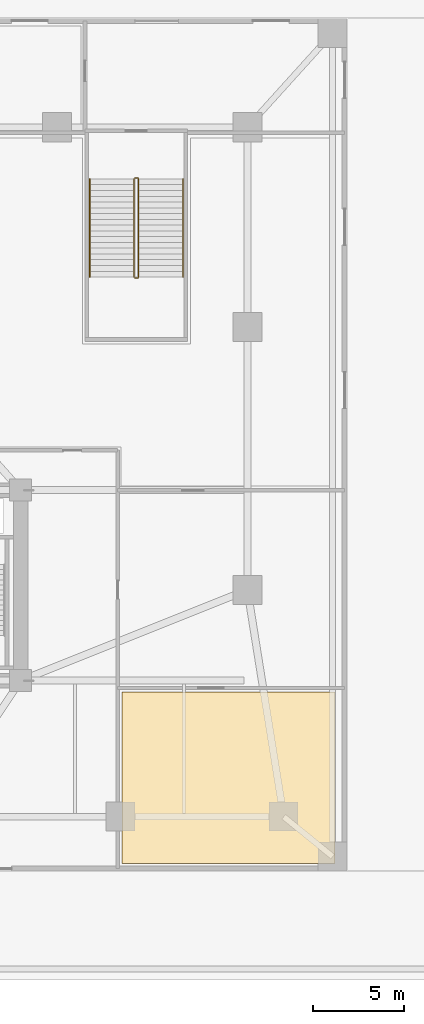
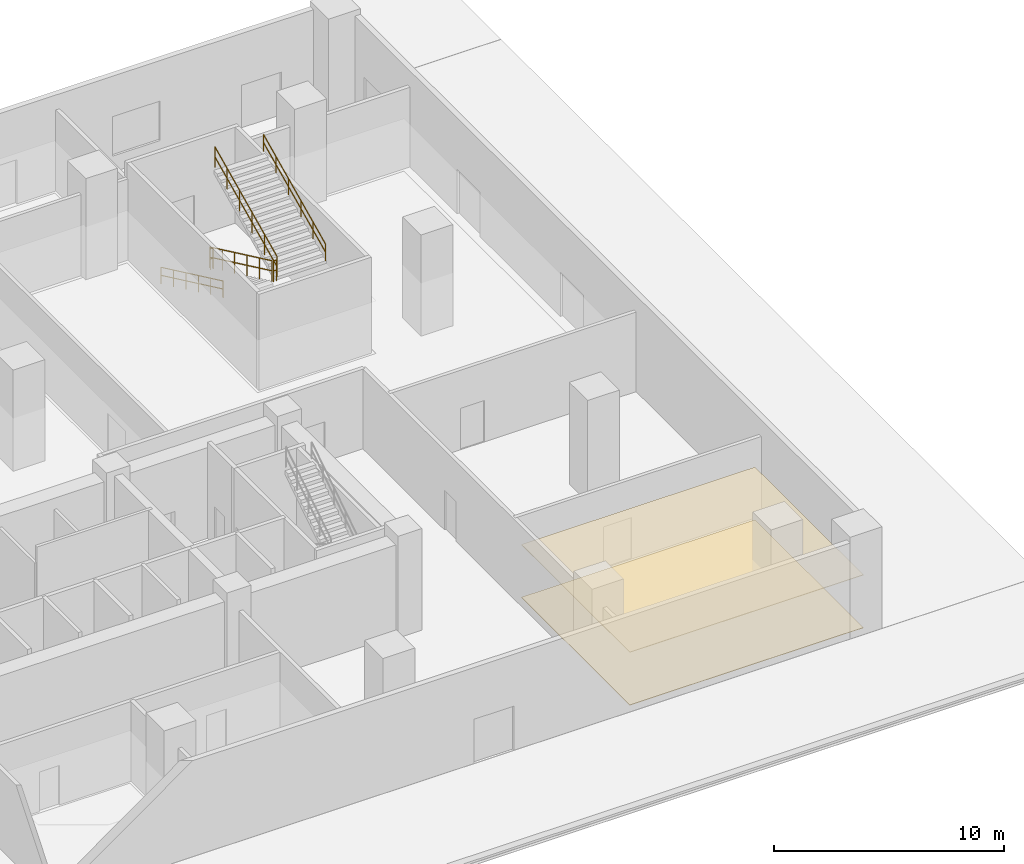
# One storey, part 13 of 15: 6 railings, 2 coverings.
"""IFC4 building model written with IfcOpenShell, lengths in metres."""

from ifc_helpers import new_model, si_unit, direction, frame, origin, origin_2d, place, context, subcontext, project, spatial, polyline, circle, outline, extrude, material, layer, layer_set, type_object, element, save


model = new_model("IFC4")

# Units and contexts
model_context = context("Model", 3, precision=1e-05, world=origin(), true_north=direction((0.0, 1.0)))
body_context = subcontext(model_context, "Body", "Model", "MODEL_VIEW")
ifc_project = project(units=[si_unit("LENGTHUNIT", "METRE"), si_unit("AREAUNIT", "SQUARE_METRE"), si_unit("VOLUMEUNIT", "CUBIC_METRE"), si_unit("PLANEANGLEUNIT", "RADIAN"), si_unit("MASSUNIT", "GRAM", prefix="KILO")], contexts=[model_context])

# Site, building, storey
site_placement = place(None, origin())
site = spatial("IfcSite", under=ifc_project, at=site_placement, CompositionType="ELEMENT")
building_placement = place(site_placement, origin())
building = spatial("IfcBuilding", under=site, at=building_placement, Name="Solmavex Isthmus Hotel", CompositionType="ELEMENT")
storey_placement = place(building_placement, origin())
storey = spatial("IfcBuildingStorey", under=building, at=storey_placement, Name="L01", CompositionType="ELEMENT", Elevation=0.0)

# Coverings
ifc_material_1 = material(Name="Gypsum plasterboard lining", Category="gypsum")
ifc_layer_1 = layer(ifc_material_1, 0.030029296875)
ifc_layer_set_1 = layer_set([ifc_layer_1], Name="Gypsum plasterboard lining")
covering_type_1 = type_object("IfcCoveringType", Name="COV-CEIL-GYP", PredefinedType="CEILING", material=ifc_layer_set_1)
covering_1_placement = place(storey_placement, frame((0.0, 0.0, 2.800048828125)))
element("IfcCovering", 1, at=covering_1_placement, inside=storey, type_object=covering_type_1, Name="Suspended Acoustic Ceiling L01-KIT", PredefinedType="CEILING", context=body_context, shape_type="SweptSolid", body=[
    extrude(outline(polyline([(33.320068359375, -23.070068359375), (33.320068359375, -13.6298828125), (21.580078125, -13.6298828125), (21.580078125, -23.070068359375), (33.320068359375, -23.070068359375)])), origin(), (0.0, 0.0, 1.0), 0.030029296875),
])
ifc_material_2 = material(Name="Travertine natural stone", Category="masonry")
ifc_layer_2 = layer(ifc_material_2, 0.02490234375)
ifc_layer_set_2 = layer_set([ifc_layer_2], Name="Travertine natural stone")
covering_type_2 = type_object("IfcCoveringType", Name="COV-FLOR-STN", PredefinedType="FLOORING", material=ifc_layer_set_2)
covering_2_placement = place(storey_placement, origin())
element("IfcCovering", 2, at=covering_2_placement, inside=storey, type_object=covering_type_2, Name="Stone and Timber Floor Finish L01-KIT", PredefinedType="FLOORING", context=body_context, shape_type="SweptSolid", body=[
    extrude(outline(polyline([(33.320068359375, -23.070068359375), (33.320068359375, -13.6298828125), (21.580078125, -13.6298828125), (21.580078125, -23.070068359375), (33.320068359375, -23.070068359375)])), origin(), (0.0, 0.0, 1.0), 0.02490234375),
])

# Railings
ifc_material_3 = material(Name="Stainless steel 316", Category="steel")
ifc_layer_3 = layer(ifc_material_3, 0.06005859375)
ifc_layer_set_3 = layer_set([ifc_layer_3], Name="Stainless steel 316")
railing_type_1 = type_object("IfcRailingType", Name="RAIL-STAIR-GD", PredefinedType="GUARDRAIL", material=ifc_layer_set_3)
railing_1_placement = place(storey_placement, frame((22.25, 14.64990234375, 0.14990234375)))
element("IfcRailing", 3, at=railing_1_placement, inside=storey, type_object=railing_type_1, Name="L01 ST-3 stair guard 1", PredefinedType="GUARDRAIL", context=body_context, shape_type="SweptSolid", body=[
    extrude(circle(Radius=0.02392578125, at=origin_2d()), frame((0.0, 0.0, 1.09619140625), z_axis=(0.0, -0.904428618924, 0.426624979662), x_axis=(1.0, 0.0, 0.0)), (0.0, 0.0, 1.0), 5.977294921875),
    extrude(circle(Radius=0.02392578125, at=origin_2d()), frame((0.0, 0.0, 0.56005859375), z_axis=(0.0, -0.904428618924, 0.426624979662), x_axis=(1.0, 0.0, 0.0)), (0.0, 0.0, 1.0), 5.977294921875),
    extrude(circle(Radius=0.02099609375, at=origin_2d()), origin(), (0.0, 0.0, 1.0), 1.072021484375),
    extrude(circle(Radius=0.02099609375, at=origin_2d()), frame((0.0, -1.081298828125, 0.510009765625)), (0.0, 0.0, 1.0), 1.072021484375),
    extrude(circle(Radius=0.02099609375, at=origin_2d()), frame((0.0, -2.162353515625, 1.02001953125)), (0.0, 0.0, 1.0), 1.072021484375),
    extrude(circle(Radius=0.02099609375, at=origin_2d()), frame((0.0, -3.24365234375, 1.530029296875)), (0.0, 0.0, 1.0), 1.072021484375),
    extrude(circle(Radius=0.02099609375, at=origin_2d()), frame((0.0, -4.32470703125, 2.0400390625)), (0.0, 0.0, 1.0), 1.072021484375),
    extrude(circle(Radius=0.02099609375, at=origin_2d()), frame((0.0, -5.406005859375, 2.550048828125)), (0.0, 0.0, 1.0), 1.072021484375),
])
railing_2_placement = place(storey_placement, frame((22.300048828125, 9.194091796875, 2.699951171875)))
element("IfcRailing", 4, at=railing_2_placement, inside=storey, type_object=railing_type_1, Name="L01 ST-3 stair guard 2", PredefinedType="GUARDRAIL", context=body_context, shape_type="SweptSolid", body=[
    extrude(circle(Radius=0.02392578125, at=origin_2d()), frame((0.0, 0.0, 1.09619140625), z_axis=(1.0, 0.0, 0.0), x_axis=(0.0, 1.0, 0.0)), (0.0, 0.0, 1.0), 0.14990234375),
    extrude(circle(Radius=0.02392578125, at=origin_2d()), frame((0.0, 0.0, 0.56005859375), z_axis=(1.0, 0.0, 0.0), x_axis=(0.0, 1.0, 0.0)), (0.0, 0.0, 1.0), 0.14990234375),
    extrude(circle(Radius=0.02099609375, at=origin_2d()), origin(), (0.0, 0.0, 1.0), 1.072021484375),
    extrude(circle(Radius=0.02099609375, at=origin_2d()), frame((0.14990234375, 0.0, 0.0)), (0.0, 0.0, 1.0), 1.072021484375),
])
railing_3_placement = place(storey_placement, frame((22.5, 9.243896484375, 2.85009765625)))
element("IfcRailing", 5, at=railing_3_placement, inside=storey, type_object=railing_type_1, Name="L01 ST-3 stair guard 3", PredefinedType="GUARDRAIL", context=body_context, shape_type="SweptSolid", body=[
    extrude(circle(Radius=0.02392578125, at=origin_2d()), frame((0.0, 0.0, 1.09619140625), z_axis=(0.0, 0.904444378661, 0.426591568023), x_axis=(-1.0, 0.0, 0.0)), (0.0, 0.0, 1.0), 5.97705078125),
    extrude(circle(Radius=0.02392578125, at=origin_2d()), frame((0.0, 0.0, 0.56005859375), z_axis=(0.0, 0.904444378661, 0.426591568023), x_axis=(-1.0, 0.0, 0.0)), (0.0, 0.0, 1.0), 5.97705078125),
    extrude(circle(Radius=0.02099609375, at=origin_2d()), origin(), (0.0, 0.0, 1.0), 1.072021484375),
    extrude(circle(Radius=0.02099609375, at=origin_2d()), frame((0.0, 1.081298828125, 0.510009765625)), (0.0, 0.0, 1.0), 1.072021484375),
    extrude(circle(Radius=0.02099609375, at=origin_2d()), frame((0.0, 2.162353515625, 1.02001953125)), (0.0, 0.0, 1.0), 1.072021484375),
    extrude(circle(Radius=0.02099609375, at=origin_2d()), frame((0.0, 3.24365234375, 1.52978515625)), (0.0, 0.0, 1.0), 1.072021484375),
    extrude(circle(Radius=0.02099609375, at=origin_2d()), frame((0.0, 4.32470703125, 2.039794921875)), (0.0, 0.0, 1.0), 1.072021484375),
    extrude(circle(Radius=0.02099609375, at=origin_2d()), frame((0.0, 5.406005859375, 2.5498046875)), (0.0, 0.0, 1.0), 1.072021484375),
])
railing_4_placement = place(storey_placement, frame((22.300048828125, 14.699951171875, 0.0)))
element("IfcRailing", 6, at=railing_4_placement, inside=storey, type_object=railing_type_1, Name="L01 ST-3 stair guard 4", PredefinedType="GUARDRAIL", context=body_context, shape_type="SweptSolid", body=[
    extrude(circle(Radius=0.02392578125, at=origin_2d()), frame((0.0, 0.0, 1.09619140625), z_axis=(1.0, 0.0, 0.0), x_axis=(0.0, 1.0, 0.0)), (0.0, 0.0, 1.0), 0.14990234375),
    extrude(circle(Radius=0.02392578125, at=origin_2d()), frame((0.0, 0.0, 0.56005859375), z_axis=(1.0, 0.0, 0.0), x_axis=(0.0, 1.0, 0.0)), (0.0, 0.0, 1.0), 0.14990234375),
    extrude(circle(Radius=0.02099609375, at=origin_2d()), origin(), (0.0, 0.0, 1.0), 1.072021484375),
    extrude(circle(Radius=0.02099609375, at=origin_2d()), frame((0.14990234375, 0.0, 0.0)), (0.0, 0.0, 1.0), 1.072021484375),
])
ifc_layer_4 = layer(ifc_material_3, 0.050048828125)
ifc_layer_set_4 = layer_set([ifc_layer_4], Name="Stainless steel 316")
railing_type_2 = type_object("IfcRailingType", Name="RAIL-STAIR-HR", PredefinedType="HANDRAIL", material=ifc_layer_set_4)
railing_5_placement = place(storey_placement, frame((19.800048828125, 14.64990234375, 0.14990234375)))
element("IfcRailing", 7, at=railing_5_placement, inside=storey, type_object=railing_type_2, Name="L01 ST-3 stair handrail 1", PredefinedType="HANDRAIL", context=body_context, shape_type="SweptSolid", body=[
    extrude(circle(Radius=0.02392578125, at=origin_2d()), frame((0.0, 0.0, 0.8759765625), z_axis=(0.0, -0.904428618924, 0.426624979662), x_axis=(1.0, 0.0, 0.0)), (0.0, 0.0, 1.0), 5.977294921875),
    extrude(circle(Radius=0.02392578125, at=origin_2d()), frame((0.0, 0.0, 0.449951171875), z_axis=(0.0, -0.904428618924, 0.426624979662), x_axis=(1.0, 0.0, 0.0)), (0.0, 0.0, 1.0), 5.977294921875),
    extrude(circle(Radius=0.02099609375, at=origin_2d()), origin(), (0.0, 0.0, 1.0), 0.851806640625),
    extrude(circle(Radius=0.02099609375, at=origin_2d()), frame((0.0, -1.081298828125, 0.510009765625)), (0.0, 0.0, 1.0), 0.851806640625),
    extrude(circle(Radius=0.02099609375, at=origin_2d()), frame((0.0, -2.162353515625, 1.02001953125)), (0.0, 0.0, 1.0), 0.851806640625),
    extrude(circle(Radius=0.02099609375, at=origin_2d()), frame((0.0, -3.24365234375, 1.530029296875)), (0.0, 0.0, 1.0), 0.851806640625),
    extrude(circle(Radius=0.02099609375, at=origin_2d()), frame((0.0, -4.32470703125, 2.0400390625)), (0.0, 0.0, 1.0), 0.851806640625),
    extrude(circle(Radius=0.02099609375, at=origin_2d()), frame((0.0, -5.406005859375, 2.550048828125)), (0.0, 0.0, 1.0), 0.851806640625),
])
railing_6_placement = place(storey_placement, frame((24.949951171875, 9.243896484375, 2.85009765625)))
element("IfcRailing", 8, at=railing_6_placement, inside=storey, type_object=railing_type_2, Name="L01 ST-3 stair handrail 2", PredefinedType="HANDRAIL", context=body_context, shape_type="SweptSolid", body=[
    extrude(circle(Radius=0.02392578125, at=origin_2d()), frame((0.0, 0.0, 0.8759765625), z_axis=(0.0, 0.904444378661, 0.426591568023), x_axis=(-1.0, 0.0, 0.0)), (0.0, 0.0, 1.0), 5.97705078125),
    extrude(circle(Radius=0.02392578125, at=origin_2d()), frame((0.0, 0.0, 0.449951171875), z_axis=(0.0, 0.904444378661, 0.426591568023), x_axis=(-1.0, 0.0, 0.0)), (0.0, 0.0, 1.0), 5.97705078125),
    extrude(circle(Radius=0.02099609375, at=origin_2d()), origin(), (0.0, 0.0, 1.0), 0.851806640625),
    extrude(circle(Radius=0.02099609375, at=origin_2d()), frame((0.0, 1.081298828125, 0.510009765625)), (0.0, 0.0, 1.0), 0.851806640625),
    extrude(circle(Radius=0.02099609375, at=origin_2d()), frame((0.0, 2.162353515625, 1.02001953125)), (0.0, 0.0, 1.0), 0.851806640625),
    extrude(circle(Radius=0.02099609375, at=origin_2d()), frame((0.0, 3.24365234375, 1.52978515625)), (0.0, 0.0, 1.0), 0.851806640625),
    extrude(circle(Radius=0.02099609375, at=origin_2d()), frame((0.0, 4.32470703125, 2.039794921875)), (0.0, 0.0, 1.0), 0.851806640625),
    extrude(circle(Radius=0.02099609375, at=origin_2d()), frame((0.0, 5.406005859375, 2.5498046875)), (0.0, 0.0, 1.0), 0.851806640625),
])

save(model, "model.ifc")
